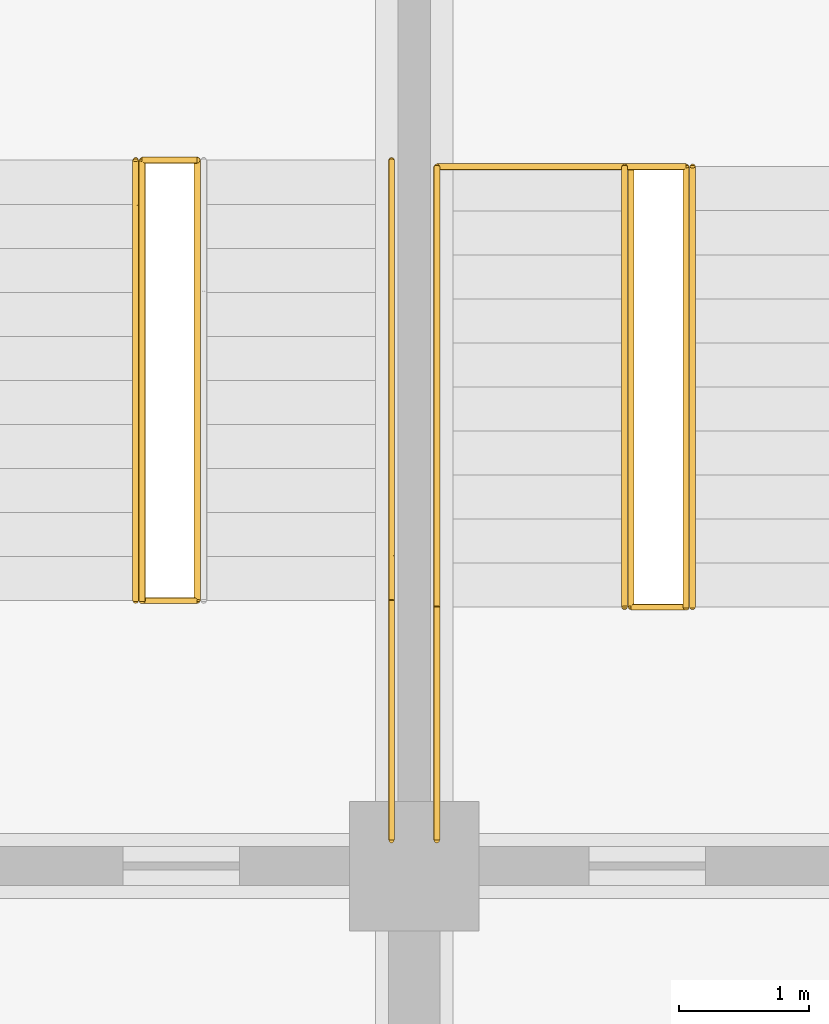
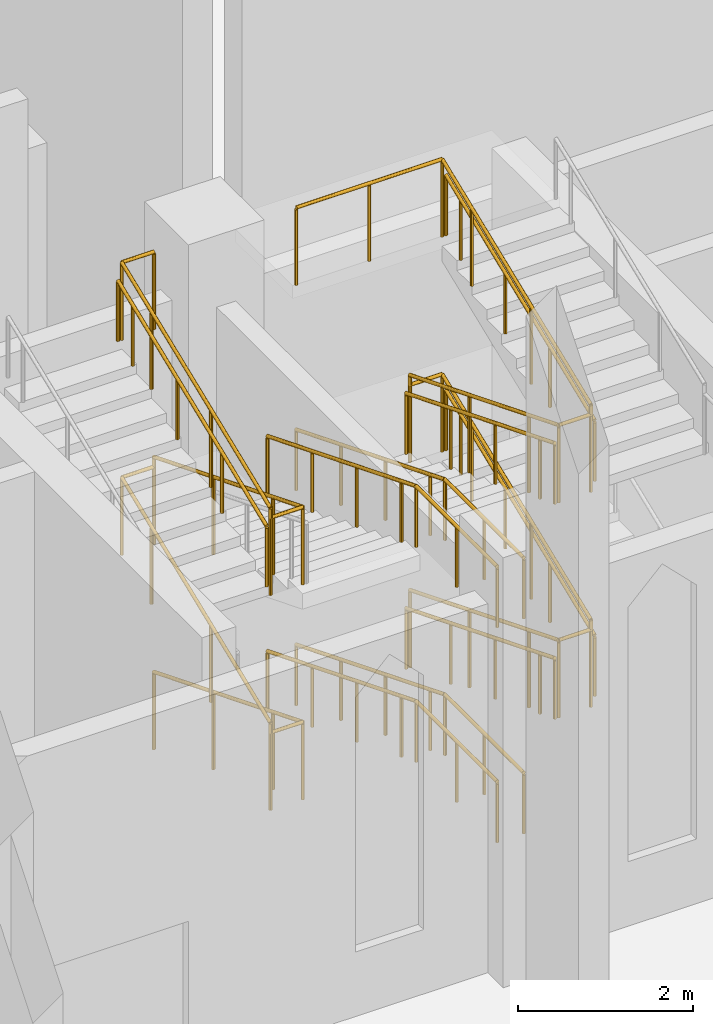
# One storey, part 44 of 50: 11 railings.
"""IFC4 building model written with IfcOpenShell, lengths in metres."""

from ifc_helpers import new_model, si_unit, direction, frame, origin, origin_2d, place, context, subcontext, project, spatial, circle, extrude, material, type_object, element, save


model = new_model("IFC4")

# Units and contexts
model_context = context("Model", 3, precision=1e-05, world=origin(), true_north=direction((0.0, 1.0)))
body_context = subcontext(model_context, "Body", "Model", "MODEL_VIEW")
ifc_project = project(units=[si_unit("LENGTHUNIT", "METRE"), si_unit("AREAUNIT", "SQUARE_METRE"), si_unit("VOLUMEUNIT", "CUBIC_METRE"), si_unit("PLANEANGLEUNIT", "RADIAN"), si_unit("MASSUNIT", "GRAM", prefix="KILO")], contexts=[model_context])

# Site, building, storey
site_placement = place(None, origin())
site = spatial("IfcSite", under=ifc_project, at=site_placement, CompositionType="ELEMENT")
building_placement = place(site_placement, origin())
building = spatial("IfcBuilding", under=site, at=building_placement, Name="Silangan Lancet Faculty of Sciences", CompositionType="ELEMENT")
storey_placement = place(building_placement, origin())
storey = spatial("IfcBuildingStorey", under=building, at=storey_placement, Name="L00", CompositionType="ELEMENT", Elevation=0.0)

# Railings
ifc_material_1 = material(Name="Steel balustrade", Category="steel")
railing_type_1 = type_object("IfcRailingType", Name="STAIR GUARD 1100", PredefinedType="GUARDRAIL", material=ifc_material_1)
railing_1_placement = place(storey_placement, frame((30.47509765625, 5.39990234375, 0.136474609375)))
element("IfcRailing", 1, at=railing_1_placement, inside=storey, type_object=railing_type_1, Name="GUARD-SAB-A-L00", PredefinedType="GUARDRAIL", context=body_context, shape_type="SweptSolid", body=[
    extrude(circle(Radius=0.02392578125, at=origin_2d()), frame((0.0, 0.0, 1.076171875), z_axis=(0.0, -0.928131538224, 0.372252397916), x_axis=(1.0, 0.0, 0.0)), (0.0, 0.0, 1.0), 1.465087890625),
    extrude(circle(Radius=0.02392578125, at=origin_2d()), frame((0.0, -1.35986328125, 1.62158203125), z_axis=(0.0, -0.928154623156, 0.372194835421), x_axis=(1.0, 0.0, 0.0)), (0.0, 0.0, 1.0), 1.46533203125),
    extrude(circle(Radius=0.02392578125, at=origin_2d()), frame((0.0, -2.719970703125, 2.1669921875), z_axis=(0.0, -0.928131538224, 0.372252397916), x_axis=(1.0, 0.0, 0.0)), (0.0, 0.0, 1.0), 0.732666015625),
    extrude(circle(Radius=0.02392578125, at=origin_2d()), frame((0.0, -3.39990234375, 2.439453125), z_axis=(1.0, 0.0, 0.0), x_axis=(0.0, 1.0, 0.0)), (0.0, 0.0, 1.0), 0.4248046875),
    extrude(circle(Radius=0.02392578125, at=origin_2d()), frame((0.4248046875, -3.39990234375, 2.439453125), z_axis=(0.0, 0.0, 1.0), x_axis=(1.0, 0.0, 0.0)), (0.0, 0.0, 1.0), 0.136474609375),
    extrude(circle(Radius=0.02392578125, at=origin_2d()), frame((0.4248046875, -3.39990234375, 2.576171875), z_axis=(0.0, 0.928154623156, 0.372194835421), x_axis=(-1.0, 0.0, 0.0)), (0.0, 0.0, 1.0), 1.46533203125),
    extrude(circle(Radius=0.02392578125, at=origin_2d()), frame((0.4248046875, -2.039794921875, 3.12158203125), z_axis=(0.0, 0.928131538224, 0.372252397916), x_axis=(-1.0, 0.0, 0.0)), (0.0, 0.0, 1.0), 1.465087890625),
    extrude(circle(Radius=0.02392578125, at=origin_2d()), frame((0.4248046875, -0.679931640625, 3.6669921875), z_axis=(0.0, 0.928131538224, 0.372252397916), x_axis=(-1.0, 0.0, 0.0)), (0.0, 0.0, 1.0), 0.732666015625),
    extrude(circle(Radius=0.02392578125, at=origin_2d()), frame((0.4248046875, 0.0, 3.939453125), z_axis=(-1.0, 0.0, 0.0), x_axis=(0.0, -1.0, 0.0)), (0.0, 0.0, 1.0), 0.4248046875),
    extrude(circle(Radius=0.02392578125, at=origin_2d()), frame((0.0, 0.0, 3.939453125), z_axis=(0.0, 0.0, 1.0), x_axis=(1.0, 0.0, 0.0)), (0.0, 0.0, 1.0), 0.136474609375),
    extrude(circle(Radius=0.02392578125, at=origin_2d()), frame((0.0, 0.0, 4.076171875), z_axis=(0.0, -0.928131538224, 0.372252397916), x_axis=(1.0, 0.0, 0.0)), (0.0, 0.0, 1.0), 1.465087890625),
    extrude(circle(Radius=0.02392578125, at=origin_2d()), frame((0.0, -1.35986328125, 4.62158203125), z_axis=(0.0, -0.928154623156, 0.372194835421), x_axis=(1.0, 0.0, 0.0)), (0.0, 0.0, 1.0), 1.46533203125),
    extrude(circle(Radius=0.02392578125, at=origin_2d()), frame((0.0, -2.719970703125, 5.1669921875), z_axis=(0.0, -0.928131538224, 0.372252397916), x_axis=(1.0, 0.0, 0.0)), (0.0, 0.0, 1.0), 0.732666015625),
    extrude(circle(Radius=0.02392578125, at=origin_2d()), frame((0.0, -3.39990234375, 5.439453125), z_axis=(1.0, 0.0, 0.0), x_axis=(0.0, 1.0, 0.0)), (0.0, 0.0, 1.0), 0.4248046875),
    extrude(circle(Radius=0.02392578125, at=origin_2d()), frame((0.4248046875, -3.39990234375, 5.439453125), z_axis=(0.0, 0.0, 1.0), x_axis=(1.0, 0.0, 0.0)), (0.0, 0.0, 1.0), 0.136474609375),
    extrude(circle(Radius=0.02392578125, at=origin_2d()), frame((0.4248046875, -3.39990234375, 5.576171875), z_axis=(0.0, 0.928154623156, 0.372194835421), x_axis=(-1.0, 0.0, 0.0)), (0.0, 0.0, 1.0), 1.46533203125),
    extrude(circle(Radius=0.02392578125, at=origin_2d()), frame((0.4248046875, -2.039794921875, 6.12158203125), z_axis=(0.0, 0.928131538224, 0.372252397916), x_axis=(-1.0, 0.0, 0.0)), (0.0, 0.0, 1.0), 1.465087890625),
    extrude(circle(Radius=0.02392578125, at=origin_2d()), frame((0.4248046875, -0.679931640625, 6.6669921875), z_axis=(0.0, 0.928131538224, 0.372252397916), x_axis=(-1.0, 0.0, 0.0)), (0.0, 0.0, 1.0), 0.732666015625),
    extrude(circle(Radius=0.02392578125, at=origin_2d()), frame((0.4248046875, 0.0, 6.939453125), z_axis=(-1.0, 0.0, 0.0), x_axis=(0.0, -1.0, 0.0)), (0.0, 0.0, 1.0), 1.9248046875),
    extrude(circle(Radius=0.02099609375, at=origin_2d()), origin(), (0.0, 0.0, 1.0), 1.052001953125),
    extrude(circle(Radius=0.02099609375, at=origin_2d()), frame((0.0, -1.35986328125, 0.54541015625)), (0.0, 0.0, 1.0), 1.052001953125),
    extrude(circle(Radius=0.02099609375, at=origin_2d()), frame((0.0, -2.719970703125, 1.0908203125)), (0.0, 0.0, 1.0), 1.052001953125),
    extrude(circle(Radius=0.02099609375, at=origin_2d()), frame((0.0, -3.39990234375, 1.363525390625)), (0.0, 0.0, 1.0), 1.052001953125),
    extrude(circle(Radius=0.02099609375, at=origin_2d()), frame((0.4248046875, -3.39990234375, 1.363525390625)), (0.0, 0.0, 1.0), 1.052001953125),
    extrude(circle(Radius=0.02099609375, at=origin_2d()), frame((0.4248046875, -3.39990234375, 1.5)), (0.0, 0.0, 1.0), 1.052001953125),
    extrude(circle(Radius=0.02099609375, at=origin_2d()), frame((0.4248046875, -2.039794921875, 2.04541015625)), (0.0, 0.0, 1.0), 1.052001953125),
    extrude(circle(Radius=0.02099609375, at=origin_2d()), frame((0.4248046875, -0.679931640625, 2.5908203125)), (0.0, 0.0, 1.0), 1.052001953125),
    extrude(circle(Radius=0.02099609375, at=origin_2d()), frame((0.4248046875, 0.0, 2.863525390625)), (0.0, 0.0, 1.0), 1.052001953125),
    extrude(circle(Radius=0.02099609375, at=origin_2d()), frame((0.0, 0.0, 2.863525390625)), (0.0, 0.0, 1.0), 1.052001953125),
    extrude(circle(Radius=0.02099609375, at=origin_2d()), frame((0.0, 0.0, 3.0)), (0.0, 0.0, 1.0), 1.052001953125),
    extrude(circle(Radius=0.02099609375, at=origin_2d()), frame((0.0, -1.35986328125, 3.54541015625)), (0.0, 0.0, 1.0), 1.052001953125),
    extrude(circle(Radius=0.02099609375, at=origin_2d()), frame((0.0, -2.719970703125, 4.0908203125)), (0.0, 0.0, 1.0), 1.052001953125),
    extrude(circle(Radius=0.02099609375, at=origin_2d()), frame((0.0, -3.39990234375, 4.363525390625)), (0.0, 0.0, 1.0), 1.052001953125),
    extrude(circle(Radius=0.02099609375, at=origin_2d()), frame((0.4248046875, -3.39990234375, 4.363525390625)), (0.0, 0.0, 1.0), 1.052001953125),
    extrude(circle(Radius=0.02099609375, at=origin_2d()), frame((0.4248046875, -3.39990234375, 4.5)), (0.0, 0.0, 1.0), 1.052001953125),
    extrude(circle(Radius=0.02099609375, at=origin_2d()), frame((0.4248046875, -2.039794921875, 5.04541015625)), (0.0, 0.0, 1.0), 1.052001953125),
    extrude(circle(Radius=0.02099609375, at=origin_2d()), frame((0.4248046875, -0.679931640625, 5.5908203125)), (0.0, 0.0, 1.0), 1.052001953125),
    extrude(circle(Radius=0.02099609375, at=origin_2d()), frame((0.4248046875, 0.0, 5.863525390625)), (0.0, 0.0, 1.0), 1.052001953125),
    extrude(circle(Radius=0.02099609375, at=origin_2d()), frame((-0.53759765625, 0.0, 5.863525390625)), (0.0, 0.0, 1.0), 1.052001953125),
    extrude(circle(Radius=0.02099609375, at=origin_2d()), frame((-1.5, 0.0, 5.863525390625)), (0.0, 0.0, 1.0), 1.052001953125),
])
railing_2_placement = place(storey_placement, frame((27.125, 5.449951171875, 0.136474609375)))
element("IfcRailing", 2, at=railing_2_placement, inside=storey, type_object=railing_type_1, Name="GUARD-ST-B-L00", PredefinedType="GUARDRAIL", context=body_context, shape_type="SweptSolid", body=[
    extrude(circle(Radius=0.02392578125, at=origin_2d()), frame((0.0, 0.0, 1.076171875), z_axis=(0.0, -0.928131538224, 0.372252397916), x_axis=(1.0, 0.0, 0.0)), (0.0, 0.0, 1.0), 1.465087890625),
    extrude(circle(Radius=0.02392578125, at=origin_2d()), frame((0.0, -1.35986328125, 1.62158203125), z_axis=(0.0, -0.928154623156, 0.372194835421), x_axis=(1.0, 0.0, 0.0)), (0.0, 0.0, 1.0), 1.46533203125),
    extrude(circle(Radius=0.02392578125, at=origin_2d()), frame((0.0, -2.719970703125, 2.1669921875), z_axis=(0.0, -0.928131538224, 0.372252397916), x_axis=(1.0, 0.0, 0.0)), (0.0, 0.0, 1.0), 0.732666015625),
    extrude(circle(Radius=0.02392578125, at=origin_2d()), frame((0.0, -3.39990234375, 2.439453125), z_axis=(-1.0, 0.0, 0.0), x_axis=(0.0, -1.0, 0.0)), (0.0, 0.0, 1.0), 0.425048828125),
    extrude(circle(Radius=0.02392578125, at=origin_2d()), frame((-0.425048828125, -3.39990234375, 2.439453125), z_axis=(0.0, 0.0, 1.0), x_axis=(1.0, 0.0, 0.0)), (0.0, 0.0, 1.0), 0.136474609375),
    extrude(circle(Radius=0.02392578125, at=origin_2d()), frame((-0.425048828125, -3.39990234375, 2.576171875), z_axis=(0.0, 0.928131538224, 0.372252397916), x_axis=(-1.0, 0.0, 0.0)), (0.0, 0.0, 1.0), 1.465087890625),
    extrude(circle(Radius=0.02392578125, at=origin_2d()), frame((-0.425048828125, -2.0400390625, 3.12158203125), z_axis=(0.0, 0.928154623156, 0.372194835421), x_axis=(-1.0, 0.0, 0.0)), (0.0, 0.0, 1.0), 1.46533203125),
    extrude(circle(Radius=0.02392578125, at=origin_2d()), frame((-0.425048828125, -0.679931640625, 3.6669921875), z_axis=(0.0, 0.928131538224, 0.372252397916), x_axis=(-1.0, 0.0, 0.0)), (0.0, 0.0, 1.0), 0.732666015625),
    extrude(circle(Radius=0.02392578125, at=origin_2d()), frame((-0.425048828125, 0.0, 3.939453125), z_axis=(1.0, 0.0, 0.0), x_axis=(0.0, 1.0, 0.0)), (0.0, 0.0, 1.0), 0.425048828125),
    extrude(circle(Radius=0.02392578125, at=origin_2d()), frame((0.0, 0.0, 3.939453125), z_axis=(0.0, 0.0, 1.0), x_axis=(1.0, 0.0, 0.0)), (0.0, 0.0, 1.0), 0.136474609375),
    extrude(circle(Radius=0.02392578125, at=origin_2d()), frame((0.0, 0.0, 4.076171875), z_axis=(0.0, -0.928131538224, 0.372252397916), x_axis=(1.0, 0.0, 0.0)), (0.0, 0.0, 1.0), 1.465087890625),
    extrude(circle(Radius=0.02392578125, at=origin_2d()), frame((0.0, -1.35986328125, 4.62158203125), z_axis=(0.0, -0.928154623156, 0.372194835421), x_axis=(1.0, 0.0, 0.0)), (0.0, 0.0, 1.0), 1.46533203125),
    extrude(circle(Radius=0.02392578125, at=origin_2d()), frame((0.0, -2.719970703125, 5.1669921875), z_axis=(0.0, -0.928131538224, 0.372252397916), x_axis=(1.0, 0.0, 0.0)), (0.0, 0.0, 1.0), 0.732666015625),
    extrude(circle(Radius=0.02392578125, at=origin_2d()), frame((0.0, -3.39990234375, 5.439453125), z_axis=(-1.0, 0.0, 0.0), x_axis=(0.0, -1.0, 0.0)), (0.0, 0.0, 1.0), 0.425048828125),
    extrude(circle(Radius=0.02392578125, at=origin_2d()), frame((-0.425048828125, -3.39990234375, 5.439453125), z_axis=(0.0, 0.0, 1.0), x_axis=(1.0, 0.0, 0.0)), (0.0, 0.0, 1.0), 0.136474609375),
    extrude(circle(Radius=0.02392578125, at=origin_2d()), frame((-0.425048828125, -3.39990234375, 5.576171875), z_axis=(0.0, 0.928131538224, 0.372252397916), x_axis=(-1.0, 0.0, 0.0)), (0.0, 0.0, 1.0), 1.465087890625),
    extrude(circle(Radius=0.02392578125, at=origin_2d()), frame((-0.425048828125, -2.0400390625, 6.12158203125), z_axis=(0.0, 0.928154623156, 0.372194835421), x_axis=(-1.0, 0.0, 0.0)), (0.0, 0.0, 1.0), 1.46533203125),
    extrude(circle(Radius=0.02392578125, at=origin_2d()), frame((-0.425048828125, -0.679931640625, 6.6669921875), z_axis=(0.0, 0.928131538224, 0.372252397916), x_axis=(-1.0, 0.0, 0.0)), (0.0, 0.0, 1.0), 0.732666015625),
    extrude(circle(Radius=0.02392578125, at=origin_2d()), frame((-0.425048828125, 0.0, 6.939453125), z_axis=(1.0, 0.0, 0.0), x_axis=(0.0, 1.0, 0.0)), (0.0, 0.0, 1.0), 0.425048828125),
    extrude(circle(Radius=0.02099609375, at=origin_2d()), origin(), (0.0, 0.0, 1.0), 1.052001953125),
    extrude(circle(Radius=0.02099609375, at=origin_2d()), frame((0.0, -1.35986328125, 0.54541015625)), (0.0, 0.0, 1.0), 1.052001953125),
    extrude(circle(Radius=0.02099609375, at=origin_2d()), frame((0.0, -2.719970703125, 1.0908203125)), (0.0, 0.0, 1.0), 1.052001953125),
    extrude(circle(Radius=0.02099609375, at=origin_2d()), frame((0.0, -3.39990234375, 1.363525390625)), (0.0, 0.0, 1.0), 1.052001953125),
    extrude(circle(Radius=0.02099609375, at=origin_2d()), frame((-0.425048828125, -3.39990234375, 1.363525390625)), (0.0, 0.0, 1.0), 1.052001953125),
    extrude(circle(Radius=0.02099609375, at=origin_2d()), frame((-0.425048828125, -3.39990234375, 1.5)), (0.0, 0.0, 1.0), 1.052001953125),
    extrude(circle(Radius=0.02099609375, at=origin_2d()), frame((-0.425048828125, -2.0400390625, 2.04541015625)), (0.0, 0.0, 1.0), 1.052001953125),
    extrude(circle(Radius=0.02099609375, at=origin_2d()), frame((-0.425048828125, -0.679931640625, 2.5908203125)), (0.0, 0.0, 1.0), 1.052001953125),
    extrude(circle(Radius=0.02099609375, at=origin_2d()), frame((-0.425048828125, 0.0, 2.863525390625)), (0.0, 0.0, 1.0), 1.052001953125),
    extrude(circle(Radius=0.02099609375, at=origin_2d()), frame((0.0, 0.0, 2.863525390625)), (0.0, 0.0, 1.0), 1.052001953125),
    extrude(circle(Radius=0.02099609375, at=origin_2d()), frame((0.0, 0.0, 3.0)), (0.0, 0.0, 1.0), 1.052001953125),
    extrude(circle(Radius=0.02099609375, at=origin_2d()), frame((0.0, -1.35986328125, 3.54541015625)), (0.0, 0.0, 1.0), 1.052001953125),
    extrude(circle(Radius=0.02099609375, at=origin_2d()), frame((0.0, -2.719970703125, 4.0908203125)), (0.0, 0.0, 1.0), 1.052001953125),
    extrude(circle(Radius=0.02099609375, at=origin_2d()), frame((0.0, -3.39990234375, 4.363525390625)), (0.0, 0.0, 1.0), 1.052001953125),
    extrude(circle(Radius=0.02099609375, at=origin_2d()), frame((-0.425048828125, -3.39990234375, 4.363525390625)), (0.0, 0.0, 1.0), 1.052001953125),
    extrude(circle(Radius=0.02099609375, at=origin_2d()), frame((-0.425048828125, -3.39990234375, 4.5)), (0.0, 0.0, 1.0), 1.052001953125),
    extrude(circle(Radius=0.02099609375, at=origin_2d()), frame((-0.425048828125, -2.0400390625, 5.04541015625)), (0.0, 0.0, 1.0), 1.052001953125),
    extrude(circle(Radius=0.02099609375, at=origin_2d()), frame((-0.425048828125, -0.679931640625, 5.5908203125)), (0.0, 0.0, 1.0), 1.052001953125),
    extrude(circle(Radius=0.02099609375, at=origin_2d()), frame((-0.425048828125, 0.0, 5.863525390625)), (0.0, 0.0, 1.0), 1.052001953125),
    extrude(circle(Radius=0.02099609375, at=origin_2d()), frame((0.0, 0.0, 5.863525390625)), (0.0, 0.0, 1.0), 1.052001953125),
])
ifc_material_2 = material(Name="Stainless steel", Category="steel")
railing_type_2 = type_object("IfcRailingType", Name="STAIR HANDRAIL 865", PredefinedType="HANDRAIL", material=ifc_material_2)
railing_3_placement = place(storey_placement, frame((28.97509765625, 5.39990234375, 0.136474609375)))
element("IfcRailing", 3, at=railing_3_placement, inside=storey, type_object=railing_type_2, Name="HANDRAIL-SAB-A-L00-O1", PredefinedType="HANDRAIL", context=body_context, shape_type="SweptSolid", body=[
    extrude(circle(Radius=0.02392578125, at=origin_2d()), frame((0.0, 0.0, 0.8408203125), z_axis=(0.0, -0.9281852992, 0.372118328425), x_axis=(1.0, 0.0, 0.0)), (0.0, 0.0, 1.0), 1.098876953125),
    extrude(circle(Radius=0.02392578125, at=origin_2d()), frame((0.0, -1.02001953125, 1.25), z_axis=(0.0, -0.928077751239, 0.372386476197), x_axis=(1.0, 0.0, 0.0)), (0.0, 0.0, 1.0), 1.098876953125),
    extrude(circle(Radius=0.02392578125, at=origin_2d()), frame((0.0, -2.039794921875, 1.6591796875), z_axis=(0.0, -0.9281852992, 0.372118328425), x_axis=(1.0, 0.0, 0.0)), (0.0, 0.0, 1.0), 1.098876953125),
    extrude(circle(Radius=0.02392578125, at=origin_2d()), frame((0.0, -3.059814453125, 2.06787109375), z_axis=(0.0, -0.928062591398, 0.372424255988), x_axis=(1.0, 0.0, 0.0)), (0.0, 0.0, 1.0), 0.366455078125),
    extrude(circle(Radius=0.02392578125, at=origin_2d()), frame((0.0, -3.39990234375, 2.20458984375), z_axis=(0.0, -1.0, 0.0), x_axis=(1.0, 0.0, 0.0)), (0.0, 0.0, 1.0), 1.800048828125),
    extrude(circle(Radius=0.02099609375, at=origin_2d()), origin(), (0.0, 0.0, 1.0), 0.81689453125),
    extrude(circle(Radius=0.02099609375, at=origin_2d()), frame((0.0, -1.02001953125, 0.408935546875)), (0.0, 0.0, 1.0), 0.81689453125),
    extrude(circle(Radius=0.02099609375, at=origin_2d()), frame((0.0, -2.039794921875, 0.818115234375)), (0.0, 0.0, 1.0), 0.81689453125),
    extrude(circle(Radius=0.02099609375, at=origin_2d()), frame((0.0, -3.059814453125, 1.22705078125)), (0.0, 0.0, 1.0), 0.81689453125),
    extrude(circle(Radius=0.02099609375, at=origin_2d()), frame((0.0, -3.39990234375, 1.363525390625)), (0.0, 0.0, 1.0), 0.81689453125),
    extrude(circle(Radius=0.02099609375, at=origin_2d()), frame((0.0, -4.2998046875, 1.363525390625)), (0.0, 0.0, 1.0), 0.81689453125),
    extrude(circle(Radius=0.02099609375, at=origin_2d()), frame((0.0, -5.199951171875, 1.363525390625)), (0.0, 0.0, 1.0), 0.81689453125),
])
railing_4_placement = place(storey_placement, frame((30.425048828125, 5.39990234375, 0.136474609375)))
element("IfcRailing", 4, at=railing_4_placement, inside=storey, type_object=railing_type_2, Name="HANDRAIL-SAB-A-L00-I1", PredefinedType="HANDRAIL", context=body_context, shape_type="SweptSolid", body=[
    extrude(circle(Radius=0.02392578125, at=origin_2d()), frame((0.0, 0.0, 0.8408203125), z_axis=(0.0, -0.9281852992, 0.372118328425), x_axis=(1.0, 0.0, 0.0)), (0.0, 0.0, 1.0), 1.098876953125),
    extrude(circle(Radius=0.02392578125, at=origin_2d()), frame((0.0, -1.02001953125, 1.25), z_axis=(0.0, -0.928077751239, 0.372386476197), x_axis=(1.0, 0.0, 0.0)), (0.0, 0.0, 1.0), 1.098876953125),
    extrude(circle(Radius=0.02392578125, at=origin_2d()), frame((0.0, -2.039794921875, 1.6591796875), z_axis=(0.0, -0.9281852992, 0.372118328425), x_axis=(1.0, 0.0, 0.0)), (0.0, 0.0, 1.0), 1.098876953125),
    extrude(circle(Radius=0.02392578125, at=origin_2d()), frame((0.0, -3.059814453125, 2.06787109375), z_axis=(0.0, -0.928062591398, 0.372424255988), x_axis=(1.0, 0.0, 0.0)), (0.0, 0.0, 1.0), 0.366455078125),
    extrude(circle(Radius=0.02099609375, at=origin_2d()), origin(), (0.0, 0.0, 1.0), 0.81689453125),
    extrude(circle(Radius=0.02099609375, at=origin_2d()), frame((0.0, -1.02001953125, 0.408935546875)), (0.0, 0.0, 1.0), 0.81689453125),
    extrude(circle(Radius=0.02099609375, at=origin_2d()), frame((0.0, -2.039794921875, 0.818115234375)), (0.0, 0.0, 1.0), 0.81689453125),
    extrude(circle(Radius=0.02099609375, at=origin_2d()), frame((0.0, -3.059814453125, 1.22705078125)), (0.0, 0.0, 1.0), 0.81689453125),
    extrude(circle(Radius=0.02099609375, at=origin_2d()), frame((0.0, -3.39990234375, 1.363525390625)), (0.0, 0.0, 1.0), 0.81689453125),
])
railing_5_placement = place(storey_placement, frame((30.949951171875, 2.0, 1.636474609375)))
element("IfcRailing", 5, at=railing_5_placement, inside=storey, type_object=railing_type_2, Name="HANDRAIL-SAB-A-L00-I2", PredefinedType="HANDRAIL", context=body_context, shape_type="SweptSolid", body=[
    extrude(circle(Radius=0.02392578125, at=origin_2d()), frame((0.0, 0.0, 0.8408203125), z_axis=(0.0, 0.9281852992, 0.372118328425), x_axis=(-1.0, 0.0, 0.0)), (0.0, 0.0, 1.0), 1.098876953125),
    extrude(circle(Radius=0.02392578125, at=origin_2d()), frame((0.0, 1.02001953125, 1.25), z_axis=(0.0, 0.928108552846, 0.372309701908), x_axis=(-1.0, 0.0, 0.0)), (0.0, 0.0, 1.0), 1.09912109375),
    extrude(circle(Radius=0.02392578125, at=origin_2d()), frame((0.0, 2.0400390625, 1.6591796875), z_axis=(0.0, 0.9281852992, 0.372118328425), x_axis=(-1.0, 0.0, 0.0)), (0.0, 0.0, 1.0), 1.098876953125),
    extrude(circle(Radius=0.02392578125, at=origin_2d()), frame((0.0, 3.06005859375, 2.06787109375), z_axis=(0.0, 0.927970099223, 0.372654659099), x_axis=(-1.0, 0.0, 0.0)), (0.0, 0.0, 1.0), 0.3662109375),
    extrude(circle(Radius=0.02099609375, at=origin_2d()), origin(), (0.0, 0.0, 1.0), 0.81689453125),
    extrude(circle(Radius=0.02099609375, at=origin_2d()), frame((0.0, 1.02001953125, 0.408935546875)), (0.0, 0.0, 1.0), 0.81689453125),
    extrude(circle(Radius=0.02099609375, at=origin_2d()), frame((0.0, 2.0400390625, 0.818115234375)), (0.0, 0.0, 1.0), 0.81689453125),
    extrude(circle(Radius=0.02099609375, at=origin_2d()), frame((0.0, 3.06005859375, 1.22705078125)), (0.0, 0.0, 1.0), 0.81689453125),
    extrude(circle(Radius=0.02099609375, at=origin_2d()), frame((0.0, 3.39990234375, 1.363525390625)), (0.0, 0.0, 1.0), 0.81689453125),
])
railing_6_placement = place(storey_placement, frame((28.97509765625, 5.39990234375, 3.136474609375)))
element("IfcRailing", 6, at=railing_6_placement, inside=storey, type_object=railing_type_2, Name="HANDRAIL-SAB-A-L00-O3", PredefinedType="HANDRAIL", context=body_context, shape_type="SweptSolid", body=[
    extrude(circle(Radius=0.02392578125, at=origin_2d()), frame((0.0, 0.0, 0.8408203125), z_axis=(0.0, -0.9281852992, 0.372118328425), x_axis=(1.0, 0.0, 0.0)), (0.0, 0.0, 1.0), 1.098876953125),
    extrude(circle(Radius=0.02392578125, at=origin_2d()), frame((0.0, -1.02001953125, 1.25), z_axis=(0.0, -0.928077751239, 0.372386476197), x_axis=(1.0, 0.0, 0.0)), (0.0, 0.0, 1.0), 1.098876953125),
    extrude(circle(Radius=0.02392578125, at=origin_2d()), frame((0.0, -2.039794921875, 1.6591796875), z_axis=(0.0, -0.9281852992, 0.372118328425), x_axis=(1.0, 0.0, 0.0)), (0.0, 0.0, 1.0), 1.098876953125),
    extrude(circle(Radius=0.02392578125, at=origin_2d()), frame((0.0, -3.059814453125, 2.06787109375), z_axis=(0.0, -0.928062591398, 0.372424255988), x_axis=(1.0, 0.0, 0.0)), (0.0, 0.0, 1.0), 0.366455078125),
    extrude(circle(Radius=0.02392578125, at=origin_2d()), frame((0.0, -3.39990234375, 2.20458984375), z_axis=(0.0, -1.0, 0.0), x_axis=(1.0, 0.0, 0.0)), (0.0, 0.0, 1.0), 1.800048828125),
    extrude(circle(Radius=0.02099609375, at=origin_2d()), origin(), (0.0, 0.0, 1.0), 0.81689453125),
    extrude(circle(Radius=0.02099609375, at=origin_2d()), frame((0.0, -1.02001953125, 0.408935546875)), (0.0, 0.0, 1.0), 0.81689453125),
    extrude(circle(Radius=0.02099609375, at=origin_2d()), frame((0.0, -2.039794921875, 0.818115234375)), (0.0, 0.0, 1.0), 0.81689453125),
    extrude(circle(Radius=0.02099609375, at=origin_2d()), frame((0.0, -3.059814453125, 1.22705078125)), (0.0, 0.0, 1.0), 0.81689453125),
    extrude(circle(Radius=0.02099609375, at=origin_2d()), frame((0.0, -3.39990234375, 1.363525390625)), (0.0, 0.0, 1.0), 0.81689453125),
    extrude(circle(Radius=0.02099609375, at=origin_2d()), frame((0.0, -4.2998046875, 1.363525390625)), (0.0, 0.0, 1.0), 0.81689453125),
    extrude(circle(Radius=0.02099609375, at=origin_2d()), frame((0.0, -5.199951171875, 1.363525390625)), (0.0, 0.0, 1.0), 0.81689453125),
])
railing_7_placement = place(storey_placement, frame((30.425048828125, 5.39990234375, 3.136474609375)))
element("IfcRailing", 7, at=railing_7_placement, inside=storey, type_object=railing_type_2, Name="HANDRAIL-SAB-A-L00-I3", PredefinedType="HANDRAIL", context=body_context, shape_type="SweptSolid", body=[
    extrude(circle(Radius=0.02392578125, at=origin_2d()), frame((0.0, 0.0, 0.8408203125), z_axis=(0.0, -0.9281852992, 0.372118328425), x_axis=(1.0, 0.0, 0.0)), (0.0, 0.0, 1.0), 1.098876953125),
    extrude(circle(Radius=0.02392578125, at=origin_2d()), frame((0.0, -1.02001953125, 1.25), z_axis=(0.0, -0.928077751239, 0.372386476197), x_axis=(1.0, 0.0, 0.0)), (0.0, 0.0, 1.0), 1.098876953125),
    extrude(circle(Radius=0.02392578125, at=origin_2d()), frame((0.0, -2.039794921875, 1.6591796875), z_axis=(0.0, -0.9281852992, 0.372118328425), x_axis=(1.0, 0.0, 0.0)), (0.0, 0.0, 1.0), 1.098876953125),
    extrude(circle(Radius=0.02392578125, at=origin_2d()), frame((0.0, -3.059814453125, 2.06787109375), z_axis=(0.0, -0.928062591398, 0.372424255988), x_axis=(1.0, 0.0, 0.0)), (0.0, 0.0, 1.0), 0.366455078125),
    extrude(circle(Radius=0.02099609375, at=origin_2d()), origin(), (0.0, 0.0, 1.0), 0.81689453125),
    extrude(circle(Radius=0.02099609375, at=origin_2d()), frame((0.0, -1.02001953125, 0.408935546875)), (0.0, 0.0, 1.0), 0.81689453125),
    extrude(circle(Radius=0.02099609375, at=origin_2d()), frame((0.0, -2.039794921875, 0.818115234375)), (0.0, 0.0, 1.0), 0.81689453125),
    extrude(circle(Radius=0.02099609375, at=origin_2d()), frame((0.0, -3.059814453125, 1.22705078125)), (0.0, 0.0, 1.0), 0.81689453125),
    extrude(circle(Radius=0.02099609375, at=origin_2d()), frame((0.0, -3.39990234375, 1.363525390625)), (0.0, 0.0, 1.0), 0.81689453125),
])
railing_8_placement = place(storey_placement, frame((30.949951171875, 2.0, 4.636474609375)))
element("IfcRailing", 8, at=railing_8_placement, inside=storey, type_object=railing_type_2, Name="HANDRAIL-SAB-A-L00-I4", PredefinedType="HANDRAIL", context=body_context, shape_type="SweptSolid", body=[
    extrude(circle(Radius=0.02392578125, at=origin_2d()), frame((0.0, 0.0, 0.8408203125), z_axis=(0.0, 0.9281852992, 0.372118328425), x_axis=(-1.0, 0.0, 0.0)), (0.0, 0.0, 1.0), 1.098876953125),
    extrude(circle(Radius=0.02392578125, at=origin_2d()), frame((0.0, 1.02001953125, 1.25), z_axis=(0.0, 0.928108552846, 0.372309701908), x_axis=(-1.0, 0.0, 0.0)), (0.0, 0.0, 1.0), 1.09912109375),
    extrude(circle(Radius=0.02392578125, at=origin_2d()), frame((0.0, 2.0400390625, 1.6591796875), z_axis=(0.0, 0.9281852992, 0.372118328425), x_axis=(-1.0, 0.0, 0.0)), (0.0, 0.0, 1.0), 1.098876953125),
    extrude(circle(Radius=0.02392578125, at=origin_2d()), frame((0.0, 3.06005859375, 2.06787109375), z_axis=(0.0, 0.927970099223, 0.372654659099), x_axis=(-1.0, 0.0, 0.0)), (0.0, 0.0, 1.0), 0.3662109375),
    extrude(circle(Radius=0.02099609375, at=origin_2d()), origin(), (0.0, 0.0, 1.0), 0.81689453125),
    extrude(circle(Radius=0.02099609375, at=origin_2d()), frame((0.0, 1.02001953125, 0.408935546875)), (0.0, 0.0, 1.0), 0.81689453125),
    extrude(circle(Radius=0.02099609375, at=origin_2d()), frame((0.0, 2.0400390625, 0.818115234375)), (0.0, 0.0, 1.0), 0.81689453125),
    extrude(circle(Radius=0.02099609375, at=origin_2d()), frame((0.0, 3.06005859375, 1.22705078125)), (0.0, 0.0, 1.0), 0.81689453125),
    extrude(circle(Radius=0.02099609375, at=origin_2d()), frame((0.0, 3.39990234375, 1.363525390625)), (0.0, 0.0, 1.0), 0.81689453125),
])
railing_9_placement = place(storey_placement, frame((28.625, 5.449951171875, 0.136474609375)))
element("IfcRailing", 9, at=railing_9_placement, inside=storey, type_object=railing_type_2, Name="HANDRAIL-ST-B-L00-O1", PredefinedType="HANDRAIL", context=body_context, shape_type="SweptSolid", body=[
    extrude(circle(Radius=0.02392578125, at=origin_2d()), frame((0.0, 0.0, 0.8408203125), z_axis=(0.0, -0.9281852992, 0.372118328425), x_axis=(1.0, 0.0, 0.0)), (0.0, 0.0, 1.0), 1.098876953125),
    extrude(circle(Radius=0.02392578125, at=origin_2d()), frame((0.0, -1.02001953125, 1.25), z_axis=(0.0, -0.928108552846, 0.372309701908), x_axis=(1.0, 0.0, 0.0)), (0.0, 0.0, 1.0), 1.09912109375),
    extrude(circle(Radius=0.02392578125, at=origin_2d()), frame((0.0, -2.0400390625, 1.6591796875), z_axis=(0.0, -0.9281852992, 0.372118328425), x_axis=(1.0, 0.0, 0.0)), (0.0, 0.0, 1.0), 1.098876953125),
    extrude(circle(Radius=0.02392578125, at=origin_2d()), frame((0.0, -3.06005859375, 2.06787109375), z_axis=(0.0, -0.927970099223, 0.372654659099), x_axis=(1.0, 0.0, 0.0)), (0.0, 0.0, 1.0), 0.3662109375),
    extrude(circle(Radius=0.02392578125, at=origin_2d()), frame((0.0, -3.39990234375, 2.20458984375), z_axis=(0.0, -1.0, 0.0), x_axis=(1.0, 0.0, 0.0)), (0.0, 0.0, 1.0), 1.85009765625),
    extrude(circle(Radius=0.02099609375, at=origin_2d()), origin(), (0.0, 0.0, 1.0), 0.81689453125),
    extrude(circle(Radius=0.02099609375, at=origin_2d()), frame((0.0, -1.02001953125, 0.408935546875)), (0.0, 0.0, 1.0), 0.81689453125),
    extrude(circle(Radius=0.02099609375, at=origin_2d()), frame((0.0, -2.0400390625, 0.818115234375)), (0.0, 0.0, 1.0), 0.81689453125),
    extrude(circle(Radius=0.02099609375, at=origin_2d()), frame((0.0, -3.06005859375, 1.22705078125)), (0.0, 0.0, 1.0), 0.81689453125),
    extrude(circle(Radius=0.02099609375, at=origin_2d()), frame((0.0, -3.39990234375, 1.363525390625)), (0.0, 0.0, 1.0), 0.81689453125),
    extrude(circle(Radius=0.02099609375, at=origin_2d()), frame((0.0, -4.324951171875, 1.363525390625)), (0.0, 0.0, 1.0), 0.81689453125),
    extrude(circle(Radius=0.02099609375, at=origin_2d()), frame((0.0, -5.25, 1.363525390625)), (0.0, 0.0, 1.0), 0.81689453125),
])
railing_10_placement = place(storey_placement, frame((28.625, 5.449951171875, 3.136474609375)))
element("IfcRailing", 10, at=railing_10_placement, inside=storey, type_object=railing_type_2, Name="HANDRAIL-ST-B-L00-O3", PredefinedType="HANDRAIL", context=body_context, shape_type="SweptSolid", body=[
    extrude(circle(Radius=0.02392578125, at=origin_2d()), frame((0.0, 0.0, 0.8408203125), z_axis=(0.0, -0.9281852992, 0.372118328425), x_axis=(1.0, 0.0, 0.0)), (0.0, 0.0, 1.0), 1.098876953125),
    extrude(circle(Radius=0.02392578125, at=origin_2d()), frame((0.0, -1.02001953125, 1.25), z_axis=(0.0, -0.928108552846, 0.372309701908), x_axis=(1.0, 0.0, 0.0)), (0.0, 0.0, 1.0), 1.09912109375),
    extrude(circle(Radius=0.02392578125, at=origin_2d()), frame((0.0, -2.0400390625, 1.6591796875), z_axis=(0.0, -0.9281852992, 0.372118328425), x_axis=(1.0, 0.0, 0.0)), (0.0, 0.0, 1.0), 1.098876953125),
    extrude(circle(Radius=0.02392578125, at=origin_2d()), frame((0.0, -3.06005859375, 2.06787109375), z_axis=(0.0, -0.927970099223, 0.372654659099), x_axis=(1.0, 0.0, 0.0)), (0.0, 0.0, 1.0), 0.3662109375),
    extrude(circle(Radius=0.02392578125, at=origin_2d()), frame((0.0, -3.39990234375, 2.20458984375), z_axis=(0.0, -1.0, 0.0), x_axis=(1.0, 0.0, 0.0)), (0.0, 0.0, 1.0), 1.85009765625),
    extrude(circle(Radius=0.02099609375, at=origin_2d()), origin(), (0.0, 0.0, 1.0), 0.81689453125),
    extrude(circle(Radius=0.02099609375, at=origin_2d()), frame((0.0, -1.02001953125, 0.408935546875)), (0.0, 0.0, 1.0), 0.81689453125),
    extrude(circle(Radius=0.02099609375, at=origin_2d()), frame((0.0, -2.0400390625, 0.818115234375)), (0.0, 0.0, 1.0), 0.81689453125),
    extrude(circle(Radius=0.02099609375, at=origin_2d()), frame((0.0, -3.06005859375, 1.22705078125)), (0.0, 0.0, 1.0), 0.81689453125),
    extrude(circle(Radius=0.02099609375, at=origin_2d()), frame((0.0, -3.39990234375, 1.363525390625)), (0.0, 0.0, 1.0), 0.81689453125),
    extrude(circle(Radius=0.02099609375, at=origin_2d()), frame((0.0, -4.324951171875, 1.363525390625)), (0.0, 0.0, 1.0), 0.81689453125),
    extrude(circle(Radius=0.02099609375, at=origin_2d()), frame((0.0, -5.25, 1.363525390625)), (0.0, 0.0, 1.0), 0.81689453125),
])
railing_11_placement = place(storey_placement, frame((26.64990234375, 2.050048828125, 4.636474609375)))
element("IfcRailing", 11, at=railing_11_placement, inside=storey, type_object=railing_type_2, Name="HANDRAIL-ST-B-L00-I4", PredefinedType="HANDRAIL", context=body_context, shape_type="SweptSolid", body=[
    extrude(circle(Radius=0.02392578125, at=origin_2d()), frame((0.0, 0.0, 0.8408203125), z_axis=(0.0, 0.9281852992, 0.372118328425), x_axis=(-1.0, 0.0, 0.0)), (0.0, 0.0, 1.0), 1.098876953125),
    extrude(circle(Radius=0.02392578125, at=origin_2d()), frame((0.0, 1.02001953125, 1.25), z_axis=(0.0, 0.928108552846, 0.372309701908), x_axis=(-1.0, 0.0, 0.0)), (0.0, 0.0, 1.0), 1.09912109375),
    extrude(circle(Radius=0.02392578125, at=origin_2d()), frame((0.0, 2.0400390625, 1.6591796875), z_axis=(0.0, 0.9281852992, 0.372118328425), x_axis=(-1.0, 0.0, 0.0)), (0.0, 0.0, 1.0), 1.098876953125),
    extrude(circle(Radius=0.02392578125, at=origin_2d()), frame((0.0, 3.06005859375, 2.06787109375), z_axis=(0.0, 0.927970099223, 0.372654659099), x_axis=(-1.0, 0.0, 0.0)), (0.0, 0.0, 1.0), 0.3662109375),
    extrude(circle(Radius=0.02099609375, at=origin_2d()), origin(), (0.0, 0.0, 1.0), 0.81689453125),
    extrude(circle(Radius=0.02099609375, at=origin_2d()), frame((0.0, 1.02001953125, 0.408935546875)), (0.0, 0.0, 1.0), 0.81689453125),
    extrude(circle(Radius=0.02099609375, at=origin_2d()), frame((0.0, 2.0400390625, 0.818115234375)), (0.0, 0.0, 1.0), 0.81689453125),
    extrude(circle(Radius=0.02099609375, at=origin_2d()), frame((0.0, 3.06005859375, 1.22705078125)), (0.0, 0.0, 1.0), 0.81689453125),
    extrude(circle(Radius=0.02099609375, at=origin_2d()), frame((0.0, 3.39990234375, 1.363525390625)), (0.0, 0.0, 1.0), 0.81689453125),
])

save(model, "model.ifc")
